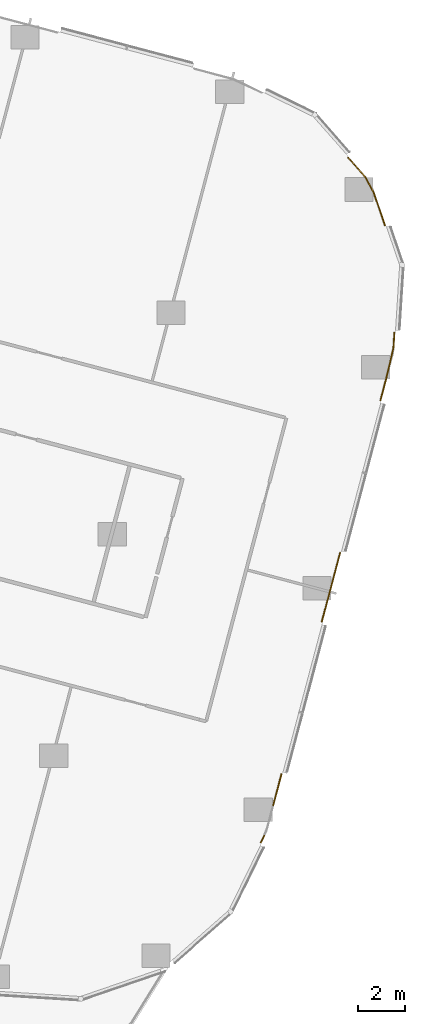
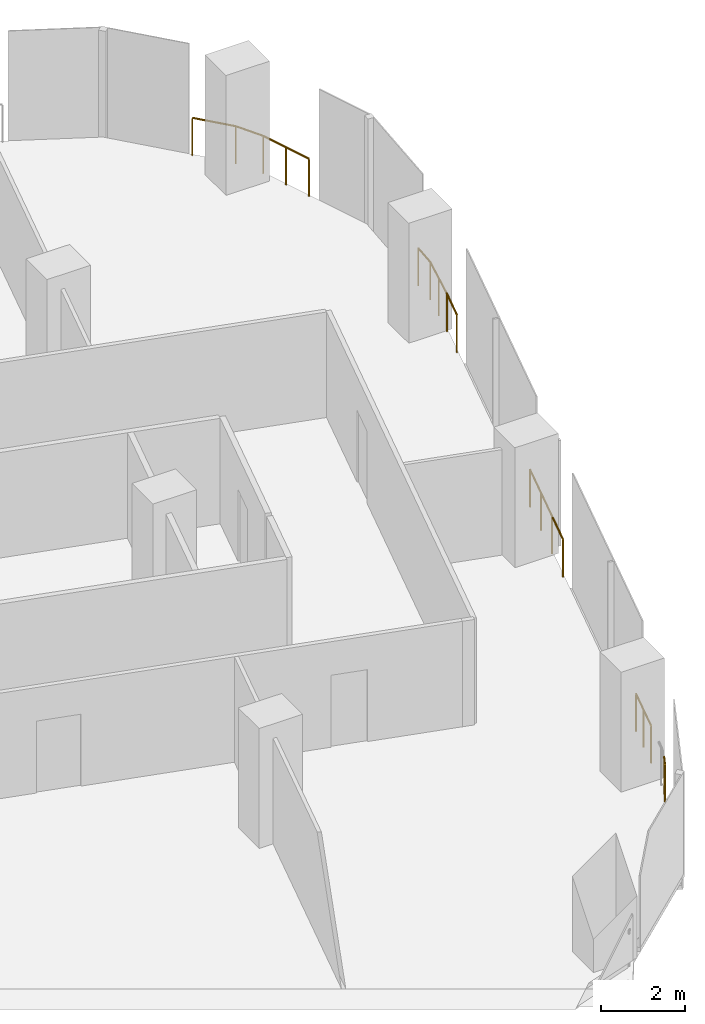
# One storey, part 32 of 34: 7 railings.
"""IFC4 building model written with IfcOpenShell, lengths in metres."""

from ifc_helpers import new_model, si_unit, direction, frame, origin, origin_2d, place, context, subcontext, project, spatial, circle, extrude, material, type_object, element, save


model = new_model("IFC4")

# Units and contexts
model_context = context("Model", 3, precision=1e-05, world=origin(), true_north=direction((0.0, 1.0)))
body_context = subcontext(model_context, "Body", "Model", "MODEL_VIEW")
ifc_project = project(units=[si_unit("LENGTHUNIT", "METRE"), si_unit("AREAUNIT", "SQUARE_METRE"), si_unit("VOLUMEUNIT", "CUBIC_METRE"), si_unit("PLANEANGLEUNIT", "RADIAN"), si_unit("MASSUNIT", "GRAM", prefix="KILO")], contexts=[model_context])

# Site, building, storey
site_placement = place(None, origin())
site = spatial("IfcSite", under=ifc_project, at=site_placement, CompositionType="ELEMENT")
building_placement = place(site_placement, origin())
building = spatial("IfcBuilding", under=site, at=building_placement, Name="Orlundy Tower", CompositionType="ELEMENT")
storey_placement = place(building_placement, frame((0.0, 0.0, 102.199951171875)))
storey = spatial("IfcBuildingStorey", under=building, at=storey_placement, Name="L25", CompositionType="ELEMENT", Elevation=102.199951171875)

# Railings
ifc_material = material(Name="Stainless steel bronze finish", Category="steel")
railing_type = type_object("IfcRailingType", Name="TG1 terrace guard", PredefinedType="GUARDRAIL", material=ifc_material)
railing_1_placement = place(storey_placement, frame((59.222900390625, 2.917236328125, 0.0)))
element("IfcRailing", 1, at=railing_1_placement, inside=storey, type_object=railing_type, Name="Guard TG-L25-E02", PredefinedType="GUARDRAIL", context=body_context, shape_type="SweptSolid", body=[
    extrude(circle(Radius=0.02490234375, at=origin_2d()), frame((0.0, 0.0, 1.09521484375), z_axis=(0.661592146747, -0.749863875222, 0.0), x_axis=(0.749863875222, 0.661592146747, 0.0)), (0.0, 0.0, 1.0), 1.09521484375),
    extrude(circle(Radius=0.02490234375, at=origin_2d()), frame((0.724609375, -0.8212890625, 1.09521484375), z_axis=(0.476108963142, -0.879386294648, 0.0), x_axis=(0.879386294648, 0.476108963142, 0.0)), (0.0, 0.0, 1.0), 0.767578125),
    extrude(circle(Radius=0.02490234375, at=origin_2d()), frame((1.090087890625, -1.496337890625, 1.09521484375), z_axis=(0.324161482504, -0.946001761764, 0.0), x_axis=(0.946001761764, 0.324161482504, 0.0)), (0.0, 0.0, 1.0), 1.45654296875),
    extrude(circle(Radius=0.02001953125, at=origin_2d()), origin(), (0.0, 0.0, 1.0), 1.070068359375),
    extrude(circle(Radius=0.02001953125, at=origin_2d()), frame((0.724609375, -0.8212890625, 0.0)), (0.0, 0.0, 1.0), 1.070068359375),
    extrude(circle(Radius=0.02001953125, at=origin_2d()), frame((1.090087890625, -1.496337890625, 0.0)), (0.0, 0.0, 1.0), 1.070068359375),
    extrude(circle(Radius=0.02001953125, at=origin_2d()), frame((1.326171875, -2.185302734375, 0.0)), (0.0, 0.0, 1.0), 1.070068359375),
    extrude(circle(Radius=0.02001953125, at=origin_2d()), frame((1.562255859375, -2.874267578125, 0.0)), (0.0, 0.0, 1.0), 1.070068359375),
])
railing_2_placement = place(storey_placement, frame((58.88330078125, -13.824462890625, 0.0)))
element("IfcRailing", 2, at=railing_2_placement, inside=storey, type_object=railing_type, Name="Guard TG-L25-E09", PredefinedType="GUARDRAIL", context=body_context, shape_type="SweptSolid", body=[
    extrude(circle(Radius=0.02490234375, at=origin_2d()), frame((0.0, 0.0, 1.09521484375), z_axis=(-0.256030455107, -0.966668715775, 0.0), x_axis=(0.966668715775, -0.256030455107, 0.0)), (0.0, 0.0, 1.0), 3.01708984375),
    extrude(circle(Radius=0.02001953125, at=origin_2d()), origin(), (0.0, 0.0, 1.0), 1.070068359375),
    extrude(circle(Radius=0.02001953125, at=origin_2d()), frame((-0.257568359375, -0.97216796875, 0.0)), (0.0, 0.0, 1.0), 1.070068359375),
    extrude(circle(Radius=0.02001953125, at=origin_2d()), frame((-0.514892578125, -1.9443359375, 0.0)), (0.0, 0.0, 1.0), 1.070068359375),
    extrude(circle(Radius=0.02001953125, at=origin_2d()), frame((-0.7724609375, -2.91650390625, 0.0)), (0.0, 0.0, 1.0), 1.070068359375),
])
railing_3_placement = place(storey_placement, frame((61.14453125, -5.135986328125, 0.0)))
element("IfcRailing", 3, at=railing_3_placement, inside=storey, type_object=railing_type, Name="Guard TG-L25-E024", PredefinedType="GUARDRAIL", context=body_context, shape_type="SweptSolid", body=[
    extrude(circle(Radius=0.02490234375, at=origin_2d()), frame((0.0, 0.0, 1.09521484375), z_axis=(-0.229196077546, -0.973380274116, 0.0), x_axis=(0.973380274116, -0.229196077546, 0.0)), (0.0, 0.0, 1.0), 1.388916015625),
    extrude(circle(Radius=0.02001953125, at=origin_2d()), origin(), (0.0, 0.0, 1.0), 1.070068359375),
    extrude(circle(Radius=0.02001953125, at=origin_2d()), frame((-0.1591796875, -0.676025390625, 0.0)), (0.0, 0.0, 1.0), 1.070068359375),
    extrude(circle(Radius=0.02001953125, at=origin_2d()), frame((-0.318359375, -1.35205078125, 0.0)), (0.0, 0.0, 1.0), 1.070068359375),
])
railing_4_placement = place(storey_placement, frame((56.40087890625, -23.198486328125, 0.0)))
element("IfcRailing", 4, at=railing_4_placement, inside=storey, type_object=railing_type, Name="Guard TG-L25-E025", PredefinedType="GUARDRAIL", context=body_context, shape_type="SweptSolid", body=[
    extrude(circle(Radius=0.02490234375, at=origin_2d()), frame((0.0, 0.0, 1.09521484375), z_axis=(-0.255961292679, -0.966687031386, 0.0), x_axis=(0.966687031386, -0.255961292679, 0.0)), (0.0, 0.0, 1.0), 1.366943359375),
    extrude(circle(Radius=0.02001953125, at=origin_2d()), origin(), (0.0, 0.0, 1.0), 1.070068359375),
    extrude(circle(Radius=0.02001953125, at=origin_2d()), frame((-0.1748046875, -0.66064453125, 0.0)), (0.0, 0.0, 1.0), 1.070068359375),
    extrude(circle(Radius=0.02001953125, at=origin_2d()), frame((-0.349853515625, -1.3212890625, 0.0)), (0.0, 0.0, 1.0), 1.070068359375),
])
railing_5_placement = place(storey_placement, frame((60.826171875, -6.488037109375, 0.0)))
element("IfcRailing", 5, at=railing_5_placement, inside=storey, type_object=railing_type, Name="Guard TG-L25-E027", PredefinedType="GUARDRAIL", context=body_context, shape_type="SweptSolid", body=[
    extrude(circle(Radius=0.02490234375, at=origin_2d()), frame((0.0, 0.0, 1.09521484375), z_axis=(-0.256033451864, -0.966667922053, 0.0), x_axis=(0.966667922053, -0.256033451864, 0.0)), (0.0, 0.0, 1.0), 0.905029296875),
    extrude(circle(Radius=0.02001953125, at=origin_2d()), origin(), (0.0, 0.0, 1.0), 1.070068359375),
    extrude(circle(Radius=0.02001953125, at=origin_2d()), frame((-0.231689453125, -0.874755859375, 0.0)), (0.0, 0.0, 1.0), 1.070068359375),
])
railing_6_placement = place(storey_placement, frame((61.184814453125, -4.492919921875, 0.0)))
element("IfcRailing", 6, at=railing_6_placement, inside=storey, type_object=railing_type, Name="Guard TG-L25-E029", PredefinedType="GUARDRAIL", context=body_context, shape_type="SweptSolid", body=[
    extrude(circle(Radius=0.02490234375, at=origin_2d()), frame((0.0, 0.0, 1.09521484375), z_axis=(-0.062519823154, -0.998043722345, 0.0), x_axis=(0.998043722345, -0.062519823154, 0.0)), (0.0, 0.0, 1.0), 0.644287109375),
    extrude(circle(Radius=0.02001953125, at=origin_2d()), origin(), (0.0, 0.0, 1.0), 1.070068359375),
    extrude(circle(Radius=0.02001953125, at=origin_2d()), frame((-0.040283203125, -0.64306640625, 0.0)), (0.0, 0.0, 1.0), 1.070068359375),
])
railing_7_placement = place(storey_placement, frame((55.672119140625, -25.801025390625, 0.0)))
element("IfcRailing", 7, at=railing_7_placement, inside=storey, type_object=railing_type, Name="Guard TG-L25-E033", PredefinedType="GUARDRAIL", context=body_context, shape_type="SweptSolid", body=[
    extrude(circle(Radius=0.02490234375, at=origin_2d()), frame((0.0, 0.0, 1.09521484375), z_axis=(-0.439411510291, -0.898285881345, 0.0), x_axis=(0.898285881345, -0.439411510291, 0.0)), (0.0, 0.0, 1.0), 0.326171875),
    extrude(circle(Radius=0.02001953125, at=origin_2d()), origin(), (0.0, 0.0, 1.0), 1.070068359375),
    extrude(circle(Radius=0.02001953125, at=origin_2d()), frame((-0.143310546875, -0.29296875, 0.0)), (0.0, 0.0, 1.0), 1.070068359375),
])

save(model, "model.ifc")
